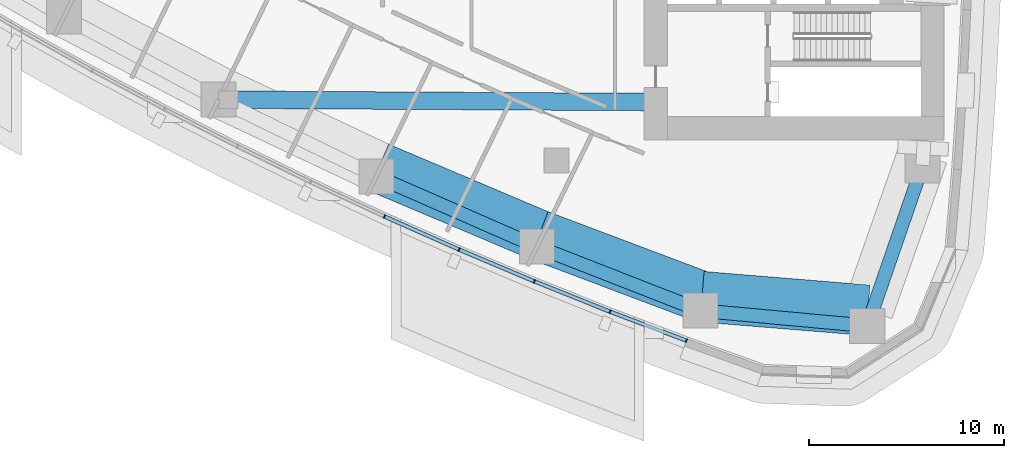
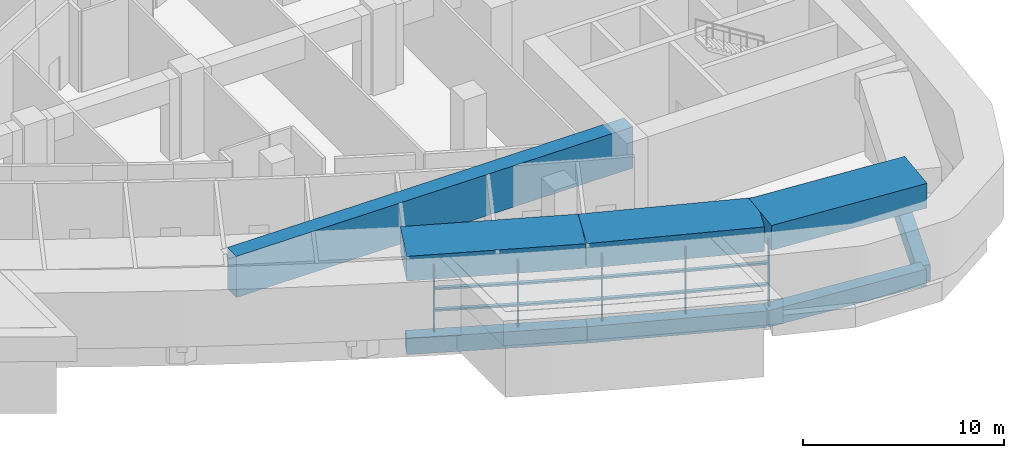
# One storey, part 3 of 17: 13 members, 8 beams, 3 elements without a shape of their own.
"""IFC4 building model written with IfcOpenShell, lengths in metres."""

from ifc_helpers import new_model, si_unit, direction, frame, origin, origin_2d, place, context, subcontext, project, spatial, rectangle, extrude, material, layer, layer_set, material_profile, profile_set, type_object, element, aggregate, save


model = new_model("IFC4")

# Units and contexts
model_context = context("Model", 3, precision=1e-05, world=origin(), true_north=direction((0.0, 1.0)))
body_context = subcontext(model_context, "Body", "Model", "MODEL_VIEW")
ifc_project = project(units=[si_unit("LENGTHUNIT", "METRE"), si_unit("AREAUNIT", "SQUARE_METRE"), si_unit("VOLUMEUNIT", "CUBIC_METRE"), si_unit("PLANEANGLEUNIT", "RADIAN"), si_unit("MASSUNIT", "GRAM", prefix="KILO")], contexts=[model_context])

# Site, building, storey
site_placement = place(None, origin())
site = spatial("IfcSite", under=ifc_project, at=site_placement, CompositionType="ELEMENT")
building_placement = place(site_placement, origin())
building = spatial("IfcBuilding", under=site, at=building_placement, Name="Ostrand Prow Hotel Tower", CompositionType="ELEMENT")
storey_placement = place(building_placement, frame((0.0, 0.0, 75.10009765625)))
storey = spatial("IfcBuildingStorey", under=building, at=storey_placement, Name="L17", CompositionType="ELEMENT", Elevation=75.10009765625)

# Beams
ifc_material_1 = material(Name="Concrete C80/95", Category="concrete")
ifc_material_profile_1 = material_profile(ifc_material_1, rectangle(XDim=2.60009765625, YDim=1.5, at=origin_2d()), Name="RC 2600x1500")
ifc_profile_set_1 = profile_set([ifc_material_profile_1], Name="Concrete C80/95")
beam_type_1 = type_object("IfcBeamType", Name="Belt girder 2600x1500 C80/95", PredefinedType="BEAM", material=ifc_profile_set_1)
beam_1_placement = place(storey_placement, frame((35.86474609375, -18.35791015625, 4.14990234375), z_axis=(0.920893043775, -0.389815343369, 0.0), x_axis=(0.389815343369, 0.920893043775, 0.0)))
element("IfcBeam", 1, at=beam_1_placement, inside=storey, type_object=beam_type_1, Name="Belt girder S4-S5", PredefinedType="BEAM", context=body_context, shape_type="SweptSolid", body=[
    extrude(rectangle(XDim=2.60009765625, YDim=1.5, at=origin_2d()), origin(), (0.0, 0.0, 1.0), 8.947265625),
])
beam_2_placement = place(storey_placement, frame((44.104248046875, -21.845703125, 4.14990234375), z_axis=(0.935725635339, -0.352728699385, 0.0), x_axis=(0.352728699385, 0.935725635339, 0.0)))
element("IfcBeam", 2, at=beam_2_placement, inside=storey, type_object=beam_type_1, Name="Belt girder S5-S6", PredefinedType="BEAM", context=body_context, shape_type="SweptSolid", body=[
    extrude(rectangle(XDim=2.60009765625, YDim=1.5, at=origin_2d()), origin(), (0.0, 0.0, 1.0), 8.947509765625),
])
beam_3_placement = place(storey_placement, frame((52.4765625, -25.001708984375, 4.14990234375), z_axis=(0.996684663051, -0.081361430905, 0.0), x_axis=(0.081361430905, 0.996684663051, 0.0)))
element("IfcBeam", 3, at=beam_3_placement, inside=storey, type_object=beam_type_1, Name="Belt girder S6-SE", PredefinedType="BEAM", context=body_context, shape_type="SweptSolid", body=[
    extrude(rectangle(XDim=2.60009765625, YDim=1.5, at=origin_2d()), origin(), (0.0, 0.0, 1.0), 8.554931640625),
])
ifc_material_2 = material(Name="Concrete C80/95", Category="concrete")
ifc_material_profile_2 = material_profile(ifc_material_2, rectangle(XDim=0.699951171875, YDim=1.0, at=origin_2d()), Name="RC 700x1000")
ifc_profile_set_2 = profile_set([ifc_material_profile_2], Name="Concrete C80/95")
beam_type_2 = type_object("IfcBeamType", Name="Edge beam 700x1000 C80/95", PredefinedType="SPANDREL", material=ifc_profile_set_2)
for number, where, z_axis, x_axis, name in (
    (4, (35.7412109375, -18.814208984375, -0.900146484375), (0.916095776162, -0.400959510297, 0.0), (0.400959510297, 0.916095776162, 0.0), "Edge beam S4-S5"),
    (5, (43.997802734375, -22.427978515625, -0.900146484375), (0.931329480916, -0.364177701098, 0.0), (0.364177701098, 0.931329480916, 0.0), "Edge beam S5-S6"),
):
    element("IfcBeam", number, at=place(storey_placement, frame(where, z_axis=z_axis, x_axis=x_axis)), inside=storey, type_object=beam_type_2, Name=name, PredefinedType="SPANDREL", context=body_context, shape_type="SweptSolid", body=[
        extrude(rectangle(XDim=0.699951171875, YDim=1.0, at=origin_2d()), origin(), (0.0, 0.0, 1.0), 9.0126953125),
    ])
beam_4_placement = place(storey_placement, frame((52.3916015625, -25.710205078125, -0.900146484375), z_axis=(0.995800189514, -0.091553167961, 0.0), x_axis=(0.091553167961, 0.995800189514, 0.0)))
element("IfcBeam", 6, at=beam_4_placement, inside=storey, type_object=beam_type_2, Name="Edge beam S6-SE", PredefinedType="SPANDREL", context=body_context, shape_type="SweptSolid", body=[
    extrude(rectangle(XDim=0.699951171875, YDim=1.0, at=origin_2d()), origin(), (0.0, 0.0, 1.0), 8.610595703125),
])
beam_5_placement = place(storey_placement, frame((60.966064453125, -26.49853515625, -0.900146484375), z_axis=(0.326263961413, 0.945278703602, 0.0), x_axis=(-0.945278703602, 0.326263961413, 0.0)))
element("IfcBeam", 7, at=beam_5_placement, inside=storey, type_object=beam_type_2, Name="Edge beam SE-B1", PredefinedType="SPANDREL", context=body_context, shape_type="SweptSolid", body=[
    extrude(rectangle(XDim=0.699951171875, YDim=1.0, at=origin_2d()), origin(), (0.0, 0.0, 1.0), 8.727294921875),
])

# Curtain wall, member
ifc_material_3 = material(Name="Insulated glass in bronze anodised frame", Category="glass")
ifc_layer = layer(ifc_material_3, 0.199951171875)
ifc_layer_set = layer_set([ifc_layer], Name="Insulated glass in bronze anodised frame")
curtain_wall_type = type_object("IfcCurtainWallType", Name="Plant storey louvre wall", PredefinedType="NOTDEFINED", material=ifc_layer_set)
curtain_wall_1_placement = place(storey_placement, origin())
curtain_wall_1 = element("IfcCurtainWall", 8, at=curtain_wall_1_placement, inside=storey, type_object=curtain_wall_type, Name="CW7 run CWS3", PredefinedType="NOTDEFINED")
ifc_material_4 = material(Name="Bronze anodised aluminium", Category="aluminium")
ifc_material_profile_3 = material_profile(ifc_material_4, rectangle(XDim=0.199951171875, YDim=0.06005859375, at=origin_2d()), Name="Mullion 60x200 bronze anodised aluminium")
ifc_profile_set_3 = profile_set([ifc_material_profile_3], Name="Bronze anodised aluminium")
member_type_1 = type_object("IfcMemberType", Name="Mullion 60x200 bronze anodised aluminium", PredefinedType="MULLION", material=ifc_profile_set_3)
member_1_placement = place(storey_placement, frame((36.162109375, -20.876953125, 0.89990234375), z_axis=(0.0, 0.0, 1.0), x_axis=(0.422529678615, 0.906349088757, 0.0)))
member_1 = element("IfcMember", 9, at=member_1_placement, type_object=member_type_1, Name="CW7 mullion 3", PredefinedType="MULLION", context=body_context, shape_type="SweptSolid", body=[
    extrude(rectangle(XDim=0.199951171875, YDim=0.06005859375, at=origin_2d()), origin(), (0.0, 0.0, 1.0), 4.0),
])
aggregate(curtain_wall_1, [member_1])

# Curtain wall, members
curtain_wall_2_placement = place(storey_placement, origin())
curtain_wall_2 = element("IfcCurtainWall", 10, at=curtain_wall_2_placement, inside=storey, type_object=curtain_wall_type, Name="CW7 run CWS4", PredefinedType="NOTDEFINED")
member_2_placement = place(storey_placement, frame((39.99560546875, -22.5791015625, 0.89990234375), z_axis=(0.0, 0.0, 1.0), x_axis=(0.388892418709, 0.921283173987, 0.0)))
member_2 = element("IfcMember", 11, at=member_2_placement, type_object=member_type_1, Name="CW7 mullion 2", PredefinedType="MULLION", context=body_context, shape_type="SweptSolid", body=[
    extrude(rectangle(XDim=0.199951171875, YDim=0.06005859375, at=origin_2d()), origin(), (0.0, 0.0, 1.0), 4.0),
])
member_3_placement = place(storey_placement, frame((43.859619140625, -24.210205078125, 0.89990234375), z_axis=(0.0, 0.0, 1.0), x_axis=(0.388892418709, 0.921283173987, 0.0)))
member_3 = element("IfcMember", 12, at=member_3_placement, type_object=member_type_1, Name="CW7 mullion 3", PredefinedType="MULLION", context=body_context, shape_type="SweptSolid", body=[
    extrude(rectangle(XDim=0.199951171875, YDim=0.06005859375, at=origin_2d()), origin(), (0.0, 0.0, 1.0), 4.0),
])

curtain_wall_3_placement = place(storey_placement, origin())
curtain_wall_3 = element("IfcCurtainWall", 13, at=curtain_wall_3_placement, inside=storey, type_object=curtain_wall_type, Name="CW7 run CWS5", PredefinedType="NOTDEFINED")
member_4_placement = place(storey_placement, frame((47.7529296875, -25.769775390625, 0.89990234375), z_axis=(0.0, 0.0, 1.0), x_axis=(0.354728407072, 0.934969388384, 0.0)))
member_4 = element("IfcMember", 14, at=member_4_placement, type_object=member_type_1, Name="CW7 mullion 2", PredefinedType="MULLION", context=body_context, shape_type="SweptSolid", body=[
    extrude(rectangle(XDim=0.199951171875, YDim=0.06005859375, at=origin_2d()), origin(), (0.0, 0.0, 1.0), 4.0),
])
member_5_placement = place(storey_placement, frame((51.674560546875, -27.2578125, 0.89990234375), z_axis=(0.0, 0.0, 1.0), x_axis=(0.354728407072, 0.934969388384, 0.0)))
member_5 = element("IfcMember", 15, at=member_5_placement, type_object=member_type_1, Name="CW7 mullion 3", PredefinedType="MULLION", context=body_context, shape_type="SweptSolid", body=[
    extrude(rectangle(XDim=0.199951171875, YDim=0.06005859375, at=origin_2d()), origin(), (0.0, 0.0, 1.0), 4.0),
])

# Beam
ifc_material_5 = material(Name="Concrete C80/95", Category="concrete")
ifc_material_profile_4 = material_profile(ifc_material_5, rectangle(XDim=0.89990234375, YDim=2.5, at=origin_2d()), Name="RC 900x2500")
ifc_profile_set_4 = profile_set([ifc_material_profile_4], Name="Concrete C80/95")
beam_type_3 = type_object("IfcBeamType", Name="Outrigger lintel 900x2500 C80/95", PredefinedType="LINTEL", material=ifc_profile_set_4)
beam_6_placement = place(storey_placement, frame((50.699951171875, -15.00341796875, 3.64990234375), z_axis=(-0.99998431255, 0.005601308169, 0.0), x_axis=(-0.005601308169, -0.99998431255, 0.0)))
element("IfcBeam", 16, at=beam_6_placement, inside=storey, type_object=beam_type_3, Name="Outrigger lintel DS1", PredefinedType="LINTEL", context=body_context, shape_type="SweptSolid", body=[
    extrude(rectangle(XDim=0.89990234375, YDim=2.5, at=origin_2d()), origin(), (0.0, 0.0, 1.0), 22.664794921875),
])

# Member
ifc_material_6 = material(Name="Bronze anodised aluminium", Category="aluminium")
ifc_material_profile_5 = material_profile(ifc_material_6, rectangle(XDim=0.199951171875, YDim=0.1201171875, at=origin_2d()), Name="Transom 120x200 bronze anodised aluminium")
ifc_profile_set_5 = profile_set([ifc_material_profile_5], Name="Bronze anodised aluminium")
member_type_2 = type_object("IfcMemberType", Name="Transom 120x200 bronze anodised aluminium", PredefinedType="USERDEFINED", material=ifc_profile_set_5)
member_6_placement = place(storey_placement, frame((36.189453125, -20.88916015625, 2.199951171875), z_axis=(0.913957599094, -0.405809693156, 0.0), x_axis=(0.405809693156, 0.913957599094, 0.0)))
member_6 = element("IfcMember", 17, at=member_6_placement, type_object=member_type_2, Name="CW7 transom 1.1", ObjectType="TRANSOM", PredefinedType="USERDEFINED", context=body_context, shape_type="SweptSolid", body=[
    extrude(rectangle(XDim=0.199951171875, YDim=0.1201171875, at=origin_2d()), origin(), (0.0, 0.0, 1.0), 4.13427734375),
])

member_7_placement = place(storey_placement, frame((36.189453125, -20.88916015625, 3.5), z_axis=(0.913957599094, -0.405809693156, 0.0), x_axis=(0.405809693156, 0.913957599094, 0.0)))
member_7 = element("IfcMember", 18, at=member_7_placement, type_object=member_type_2, Name="CW7 transom 1.2", ObjectType="TRANSOM", PredefinedType="USERDEFINED", context=body_context, shape_type="SweptSolid", body=[
    extrude(rectangle(XDim=0.199951171875, YDim=0.1201171875, at=origin_2d()), origin(), (0.0, 0.0, 1.0), 4.13427734375),
])

member_8_placement = place(storey_placement, frame((40.023193359375, -22.5908203125, 2.199951171875), z_axis=(0.921284828297, -0.388888499637, 0.0), x_axis=(0.388888499637, 0.921284828297, 0.0)))
member_8 = element("IfcMember", 19, at=member_8_placement, type_object=member_type_2, Name="CW7 transom 2.1", ObjectType="TRANSOM", PredefinedType="USERDEFINED", context=body_context, shape_type="SweptSolid", body=[
    extrude(rectangle(XDim=0.199951171875, YDim=0.1201171875, at=origin_2d()), origin(), (0.0, 0.0, 1.0), 4.134033203125),
])

member_9_placement = place(storey_placement, frame((40.023193359375, -22.5908203125, 3.5), z_axis=(0.921284828297, -0.388888499637, 0.0), x_axis=(0.388888499637, 0.921284828297, 0.0)))
member_9 = element("IfcMember", 20, at=member_9_placement, type_object=member_type_2, Name="CW7 transom 2.2", ObjectType="TRANSOM", PredefinedType="USERDEFINED", context=body_context, shape_type="SweptSolid", body=[
    extrude(rectangle(XDim=0.199951171875, YDim=0.1201171875, at=origin_2d()), origin(), (0.0, 0.0, 1.0), 4.134033203125),
])

aggregate(curtain_wall_2, [member_2, member_3, member_6, member_7, member_8, member_9])

member_10_placement = place(storey_placement, frame((43.887451171875, -24.22119140625, 2.199951171875), z_axis=(0.928264761225, -0.371920062739, 0.0), x_axis=(0.371920062739, 0.928264761225, 0.0)))
member_10 = element("IfcMember", 21, at=member_10_placement, type_object=member_type_2, Name="CW7 transom 1.1", ObjectType="TRANSOM", PredefinedType="USERDEFINED", context=body_context, shape_type="SweptSolid", body=[
    extrude(rectangle(XDim=0.199951171875, YDim=0.1201171875, at=origin_2d()), origin(), (0.0, 0.0, 1.0), 4.13427734375),
])

member_11_placement = place(storey_placement, frame((43.887451171875, -24.22119140625, 3.5), z_axis=(0.928264761225, -0.371920062739, 0.0), x_axis=(0.371920062739, 0.928264761225, 0.0)))
member_11 = element("IfcMember", 22, at=member_11_placement, type_object=member_type_2, Name="CW7 transom 1.2", ObjectType="TRANSOM", PredefinedType="USERDEFINED", context=body_context, shape_type="SweptSolid", body=[
    extrude(rectangle(XDim=0.199951171875, YDim=0.1201171875, at=origin_2d()), origin(), (0.0, 0.0, 1.0), 4.13427734375),
])

member_12_placement = place(storey_placement, frame((47.781005859375, -25.780517578125, 2.199951171875), z_axis=(0.93497051437, -0.354725439261, 0.0), x_axis=(0.354725439261, 0.93497051437, 0.0)))
member_12 = element("IfcMember", 23, at=member_12_placement, type_object=member_type_2, Name="CW7 transom 2.1", ObjectType="TRANSOM", PredefinedType="USERDEFINED", context=body_context, shape_type="SweptSolid", body=[
    extrude(rectangle(XDim=0.199951171875, YDim=0.1201171875, at=origin_2d()), origin(), (0.0, 0.0, 1.0), 4.13427734375),
])

member_13_placement = place(storey_placement, frame((47.781005859375, -25.780517578125, 3.5), z_axis=(0.93497051437, -0.354725439261, 0.0), x_axis=(0.354725439261, 0.93497051437, 0.0)))
member_13 = element("IfcMember", 24, at=member_13_placement, type_object=member_type_2, Name="CW7 transom 2.2", ObjectType="TRANSOM", PredefinedType="USERDEFINED", context=body_context, shape_type="SweptSolid", body=[
    extrude(rectangle(XDim=0.199951171875, YDim=0.1201171875, at=origin_2d()), origin(), (0.0, 0.0, 1.0), 4.13427734375),
])

aggregate(curtain_wall_3, [member_4, member_5, member_10, member_11, member_12, member_13])

save(model, "model.ifc")
